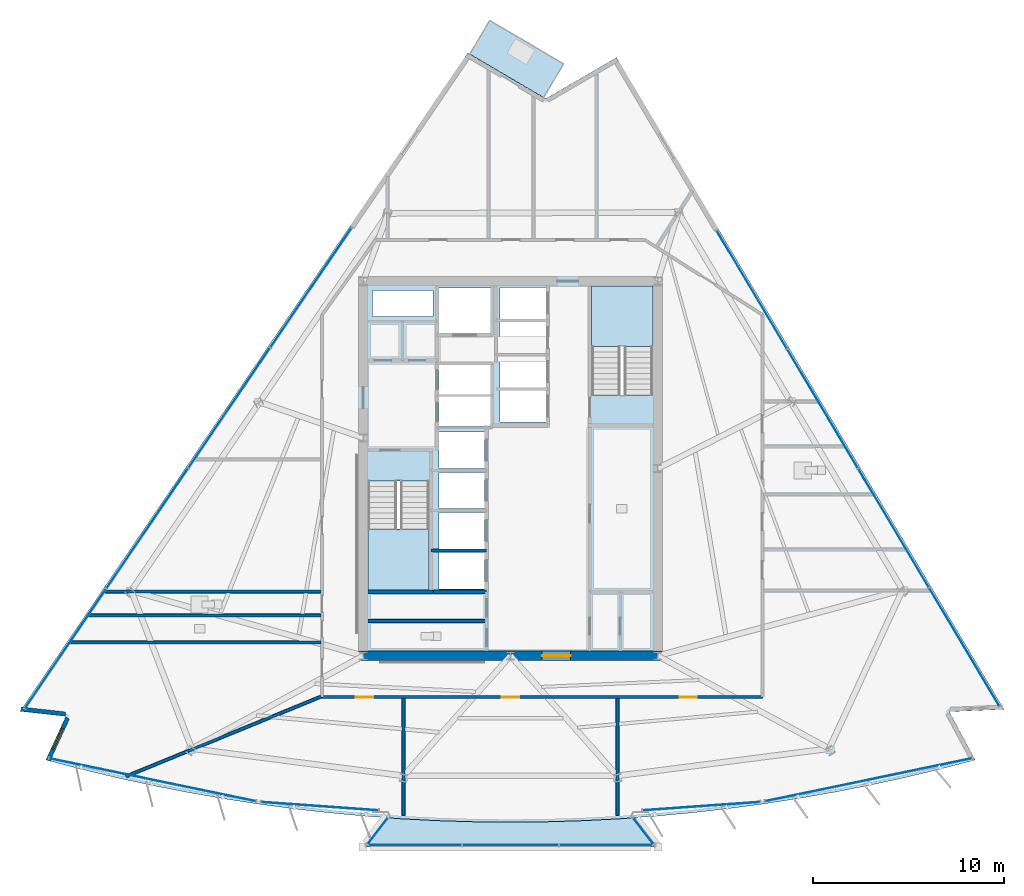
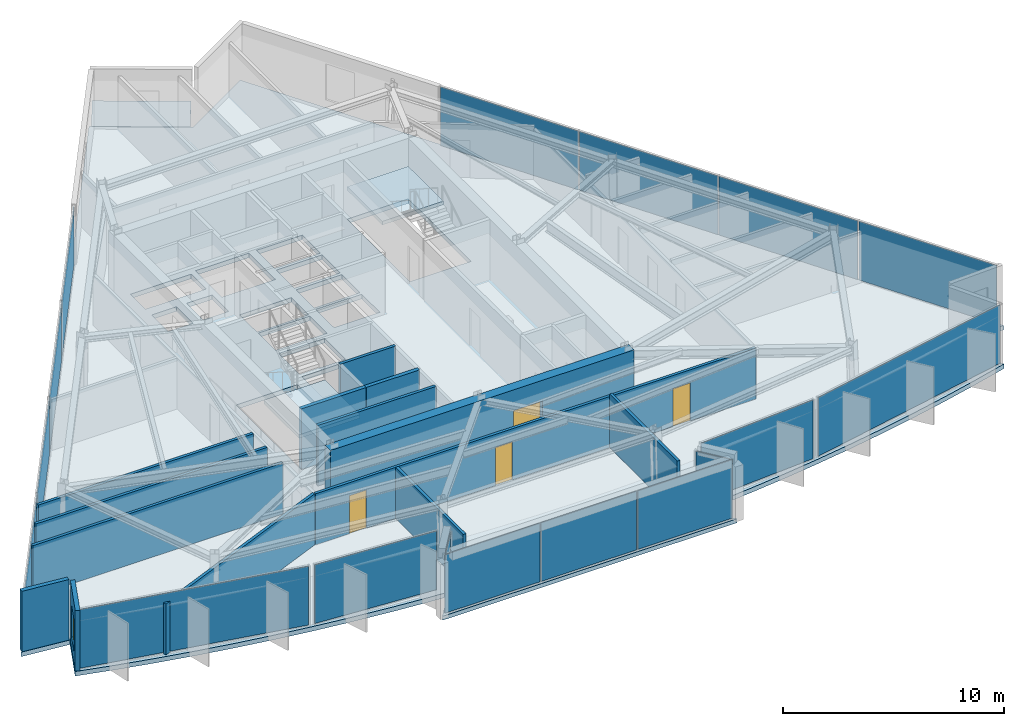
# One storey, part 7 of 14: 17 plates, 14 walls, 5 slabs, 4 doors, 1 window, 5 openings, 11 elements without a shape of their own.
"""IFC4 building model written with IfcOpenShell, lengths in metres."""

from ifc_helpers import new_model, si_unit, direction, frame, frame_2d, origin, origin_2d, place, context, subcontext, project, spatial, polyline, rectangle, outline, extrude, material, layer, layer_set, type_object, element, fill, aggregate, save


model = new_model("IFC4")

# Units and contexts
model_context = context("Model", 3, precision=1e-05, world=origin(), true_north=direction((0.0, 1.0)))
body_context = subcontext(model_context, "Body", "Model", "MODEL_VIEW")
ifc_project = project(units=[si_unit("LENGTHUNIT", "METRE"), si_unit("AREAUNIT", "SQUARE_METRE"), si_unit("VOLUMEUNIT", "CUBIC_METRE"), si_unit("PLANEANGLEUNIT", "RADIAN"), si_unit("MASSUNIT", "GRAM", prefix="KILO")], contexts=[model_context])

# Site, building, storey
site_placement = place(None, origin())
site = spatial("IfcSite", under=ifc_project, at=site_placement, CompositionType="ELEMENT")
building_placement = place(site_placement, origin())
building = spatial("IfcBuilding", under=site, at=building_placement, Name="Savorim Split Tower", CompositionType="ELEMENT")
storey_placement = place(building_placement, frame((0.0, 0.0, 209.10009765625)))
storey = spatial("IfcBuildingStorey", under=building, at=storey_placement, Name="L55", CompositionType="ELEMENT", Elevation=209.10009765625)

# Curtain wall, plate
ifc_material_1 = material(Name="Dark Ceramic-Fritted Insulated Glass", Category="glass")
curtain_wall_type_1 = type_object("IfcCurtainWallType", Name="CW-TWR-FRIT-B", PredefinedType="NOTDEFINED", material=ifc_material_1)
curtain_wall_1_placement = place(storey_placement, origin())
curtain_wall_1 = element("IfcCurtainWall", 1, at=curtain_wall_1_placement, inside=storey, type_object=curtain_wall_type_1, Name="L55 Curtain Wall CW-L55-SF1A", PredefinedType="NOTDEFINED")
ifc_layer_1 = layer(ifc_material_1, 0.02587890625)
ifc_layer_set_1 = layer_set([ifc_layer_1], Name="CWP-FRITB-26")
plate_type_1 = type_object("IfcPlateType", Name="CWP-FRITB-26", PredefinedType="CURTAIN_PANEL", material=ifc_layer_set_1)
plate_1_placement = place(storey_placement, frame((-18.731201171875, -15.885009765625, 0.0498046875), z_axis=(0.0, 0.0, 1.0), x_axis=(0.979135083641, -0.203210452448, 0.0)))
plate_1 = element("IfcPlate", 2, at=plate_1_placement, type_object=plate_type_1, Name="CW-03 panel 1.1", PredefinedType="CURTAIN_PANEL", context=body_context, shape_type="SweptSolid", body=[
    extrude(rectangle(XDim=11.026611328125, YDim=0.02587890625, at=origin_2d()), origin(), (0.0, 0.0, 1.0), 3.25),
])
aggregate(curtain_wall_1, [plate_1])

curtain_wall_2_placement = place(storey_placement, origin())
curtain_wall_2 = element("IfcCurtainWall", 3, at=curtain_wall_2_placement, inside=storey, type_object=curtain_wall_type_1, Name="L55 Curtain Wall CW-L55-SF2A", PredefinedType="NOTDEFINED")
plate_2_placement = place(storey_placement, frame((-9.98095703125, -17.26611328125, 0.0498046875), z_axis=(0.0, 0.0, 1.0), x_axis=(0.99743684751, -0.071552325109, 0.0)))
plate_2 = element("IfcPlate", 4, at=plate_2_placement, type_object=plate_type_1, Name="CW-03 panel 1.1", PredefinedType="CURTAIN_PANEL", context=body_context, shape_type="SweptSolid", body=[
    extrude(rectangle(XDim=6.118896484375, YDim=0.02587890625, at=origin_2d()), origin(), (0.0, 0.0, 1.0), 3.25),
])
aggregate(curtain_wall_2, [plate_2])

curtain_wall_3_placement = place(storey_placement, origin())
curtain_wall_3 = element("IfcCurtainWall", 5, at=curtain_wall_3_placement, inside=storey, type_object=curtain_wall_type_1, Name="L55 Curtain Wall CW-L55-SF3A", PredefinedType="NOTDEFINED")
plate_3_placement = place(storey_placement, frame((9.98095703125, -17.26611328125, 0.0498046875), z_axis=(0.0, 0.0, 1.0), x_axis=(0.99743684751, 0.071552325109, 0.0)))
plate_3 = element("IfcPlate", 6, at=plate_3_placement, type_object=plate_type_1, Name="CW-03 panel 1.1", PredefinedType="CURTAIN_PANEL", context=body_context, shape_type="SweptSolid", body=[
    extrude(rectangle(XDim=6.118896484375, YDim=0.02587890625, at=origin_2d()), origin(), (0.0, 0.0, 1.0), 3.25),
])
aggregate(curtain_wall_3, [plate_3])

curtain_wall_4_placement = place(storey_placement, origin())
curtain_wall_4 = element("IfcCurtainWall", 7, at=curtain_wall_4_placement, inside=storey, type_object=curtain_wall_type_1, Name="L55 Curtain Wall CW-L55-SF4A", PredefinedType="NOTDEFINED")
plate_4_placement = place(storey_placement, frame((18.731201171875, -15.885009765625, 0.0498046875), z_axis=(0.0, 0.0, 1.0), x_axis=(0.979135083641, 0.203210452448, 0.0)))
plate_4 = element("IfcPlate", 8, at=plate_4_placement, type_object=plate_type_1, Name="CW-03 panel 1.1", PredefinedType="CURTAIN_PANEL", context=body_context, shape_type="SweptSolid", body=[
    extrude(rectangle(XDim=11.026611328125, YDim=0.02587890625, at=origin_2d()), origin(), (0.0, 0.0, 1.0), 3.25),
])
aggregate(curtain_wall_4, [plate_4])

# Curtain wall, plates
curtain_wall_5_placement = place(storey_placement, origin())
curtain_wall_5 = element("IfcCurtainWall", 9, at=curtain_wall_5_placement, inside=storey, type_object=curtain_wall_type_1, Name="L55 Curtain Wall CW-L55-EAST", PredefinedType="NOTDEFINED")
plate_5_placement = place(storey_placement, frame((23.739013671875, -8.941162109375, 0.0498046875), z_axis=(0.0, 0.0, 1.0), x_axis=(-0.511092175308, 0.859525909056, 0.0)))
plate_5 = element("IfcPlate", 10, at=plate_5_placement, type_object=plate_type_1, Name="CW-03 panel 1.1", PredefinedType="CURTAIN_PANEL", context=body_context, shape_type="SweptSolid", body=[
    extrude(rectangle(XDim=7.167724609375, YDim=0.02587890625, at=origin_2d()), origin(), (0.0, 0.0, 1.0), 3.25),
])
plate_6_placement = place(storey_placement, frame((20.037353515625, -2.7158203125, 0.0498046875), z_axis=(0.0, 0.0, 1.0), x_axis=(-0.511092175308, 0.859525909056, 0.0)))
plate_6 = element("IfcPlate", 11, at=plate_6_placement, type_object=plate_type_1, Name="CW-03 panel 2.1", PredefinedType="CURTAIN_PANEL", context=body_context, shape_type="SweptSolid", body=[
    extrude(rectangle(XDim=7.19775390625, YDim=0.02587890625, at=origin_2d()), origin(), (0.0, 0.0, 1.0), 3.25),
])
plate_7_placement = place(storey_placement, frame((16.328125, 3.522216796875, 0.0498046875), z_axis=(0.0, 0.0, 1.0), x_axis=(-0.511092175308, 0.859525909056, 0.0)))
plate_7 = element("IfcPlate", 12, at=plate_7_placement, type_object=plate_type_1, Name="CW-03 panel 3.1", PredefinedType="CURTAIN_PANEL", context=body_context, shape_type="SweptSolid", body=[
    extrude(rectangle(XDim=7.19775390625, YDim=0.02587890625, at=origin_2d()), origin(), (0.0, 0.0, 1.0), 3.25),
])
plate_8_placement = place(storey_placement, frame((12.626220703125, 9.74755859375, 0.0498046875), z_axis=(0.0, 0.0, 1.0), x_axis=(-0.511092175308, 0.859525909056, 0.0)))
plate_8 = element("IfcPlate", 13, at=plate_8_placement, type_object=plate_type_1, Name="CW-03 panel 4.1", PredefinedType="CURTAIN_PANEL", context=body_context, shape_type="SweptSolid", body=[
    extrude(rectangle(XDim=7.167724609375, YDim=0.02587890625, at=origin_2d()), origin(), (0.0, 0.0, 1.0), 3.25),
])
aggregate(curtain_wall_5, [plate_5, plate_6, plate_7, plate_8])

curtain_wall_6_placement = place(storey_placement, origin())
curtain_wall_6 = element("IfcCurtainWall", 14, at=curtain_wall_6_placement, inside=storey, type_object=curtain_wall_type_1, Name="L55 Curtain Wall CW-L55-WEST", PredefinedType="NOTDEFINED")
plate_9_placement = place(storey_placement, frame((-10.436279296875, 9.86181640625, 0.0498046875), z_axis=(0.0, 0.0, 1.0), x_axis=(-0.562465276773, -0.826820907104, 0.0)))
plate_9 = element("IfcPlate", 15, at=plate_9_placement, type_object=plate_type_1, Name="CW-03 panel 1.1", PredefinedType="CURTAIN_PANEL", context=body_context, shape_type="SweptSolid", body=[
    extrude(rectangle(XDim=7.533447265625, YDim=0.02587890625, at=origin_2d()), origin(), (0.0, 0.0, 1.0), 3.25),
])
plate_10_placement = place(storey_placement, frame((-14.7158203125, 3.571044921875, 0.0498046875), z_axis=(0.0, 0.0, 1.0), x_axis=(-0.562465276773, -0.826820907104, 0.0)))
plate_10 = element("IfcPlate", 16, at=plate_10_placement, type_object=plate_type_1, Name="CW-03 panel 2.1", PredefinedType="CURTAIN_PANEL", context=body_context, shape_type="SweptSolid", body=[
    extrude(rectangle(XDim=7.5634765625, YDim=0.02587890625, at=origin_2d()), origin(), (0.0, 0.0, 1.0), 3.25),
])
plate_11_placement = place(storey_placement, frame((-19.003662109375, -2.732421875, 0.0498046875), z_axis=(0.0, 0.0, 1.0), x_axis=(-0.562465276773, -0.826820907104, 0.0)))
plate_11 = element("IfcPlate", 17, at=plate_11_placement, type_object=plate_type_1, Name="CW-03 panel 3.1", PredefinedType="CURTAIN_PANEL", context=body_context, shape_type="SweptSolid", body=[
    extrude(rectangle(XDim=7.5634765625, YDim=0.02587890625, at=origin_2d()), origin(), (0.0, 0.0, 1.0), 3.25),
])
plate_12_placement = place(storey_placement, frame((-23.283203125, -9.023193359375, 0.0498046875), z_axis=(0.0, 0.0, 1.0), x_axis=(-0.562465276773, -0.826820907104, 0.0)))
plate_12 = element("IfcPlate", 18, at=plate_12_placement, type_object=plate_type_1, Name="CW-03 panel 4.1", PredefinedType="CURTAIN_PANEL", context=body_context, shape_type="SweptSolid", body=[
    extrude(rectangle(XDim=7.533447265625, YDim=0.02587890625, at=origin_2d()), origin(), (0.0, 0.0, 1.0), 3.25),
])
aggregate(curtain_wall_6, [plate_9, plate_10, plate_11, plate_12])

curtain_wall_type_2 = type_object("IfcCurtainWallType", Name="CW-BAY-LOUNGE", PredefinedType="NOTDEFINED", material=ifc_material_1)
curtain_wall_7_placement = place(storey_placement, origin())
curtain_wall_7 = element("IfcCurtainWall", 19, at=curtain_wall_7_placement, inside=storey, type_object=curtain_wall_type_2, Name="L55 Curtain Wall CW-L55-BAYF", PredefinedType="NOTDEFINED")
ifc_material_2 = material(Name="Low-E Operable Double Glazing", Category="glass")
ifc_layer_2 = layer(ifc_material_2, 0.031982421875)
ifc_layer_set_2 = layer_set([ifc_layer_2], Name="CWP-POD-32")
plate_type_2 = type_object("IfcPlateType", Name="CWP-POD-32", PredefinedType="CURTAIN_PANEL", material=ifc_layer_set_2)
plate_13_placement = place(storey_placement, frame((-5.047119140625, -19.296142578125, 0.0546875), z_axis=(0.0, 0.0, 1.0), x_axis=(1.0, 0.0, 0.0)))
plate_13 = element("IfcPlate", 20, at=plate_13_placement, type_object=plate_type_2, Name="CW-04 panel 1.1", PredefinedType="CURTAIN_PANEL", context=body_context, shape_type="SweptSolid", body=[
    extrude(rectangle(XDim=4.9658203125, YDim=0.031982421875, at=origin_2d()), origin(), (0.0, 0.0, 1.0), 3.239990234375),
])
plate_14_placement = place(storey_placement, frame((0.0, -19.296142578125, 0.0546875), z_axis=(0.0, 0.0, 1.0), x_axis=(1.0, 0.0, 0.0)))
plate_14 = element("IfcPlate", 21, at=plate_14_placement, type_object=plate_type_2, Name="CW-04 panel 2.1", PredefinedType="CURTAIN_PANEL", context=body_context, shape_type="SweptSolid", body=[
    extrude(rectangle(XDim=4.998291015625, YDim=0.031982421875, at=origin_2d()), origin(), (0.0, 0.0, 1.0), 3.239990234375),
])
plate_15_placement = place(storey_placement, frame((5.047119140625, -19.296142578125, 0.0546875), z_axis=(0.0, 0.0, 1.0), x_axis=(1.0, 0.0, 0.0)))
plate_15 = element("IfcPlate", 22, at=plate_15_placement, type_object=plate_type_2, Name="CW-04 panel 3.1", PredefinedType="CURTAIN_PANEL", context=body_context, shape_type="SweptSolid", body=[
    extrude(rectangle(XDim=4.9658203125, YDim=0.031982421875, at=origin_2d()), origin(), (0.0, 0.0, 1.0), 3.239990234375),
])
aggregate(curtain_wall_7, [plate_13, plate_14, plate_15])

# Curtain wall, plate
curtain_wall_8_placement = place(storey_placement, origin())
curtain_wall_8 = element("IfcCurtainWall", 23, at=curtain_wall_8_placement, inside=storey, type_object=curtain_wall_type_2, Name="L55 Curtain Wall CW-L55-BAYW", PredefinedType="NOTDEFINED")
plate_16_placement = place(storey_placement, frame((-6.949951171875, -18.568603515625, 0.0546875), z_axis=(0.0, 0.0, 1.0), x_axis=(-0.610982078738, -0.791644427418, 0.0)))
plate_16 = element("IfcPlate", 24, at=plate_16_placement, type_object=plate_type_2, Name="CW-04 panel 1.1", PredefinedType="CURTAIN_PANEL", context=body_context, shape_type="SweptSolid", body=[
    extrude(rectangle(XDim=1.704833984375, YDim=0.031982421875, at=origin_2d()), origin(), (0.0, 0.0, 1.0), 3.239990234375),
])
aggregate(curtain_wall_8, [plate_16])

curtain_wall_9_placement = place(storey_placement, origin())
curtain_wall_9 = element("IfcCurtainWall", 25, at=curtain_wall_9_placement, inside=storey, type_object=curtain_wall_type_2, Name="L55 Curtain Wall CW-L55-BAYE", PredefinedType="NOTDEFINED")
plate_17_placement = place(storey_placement, frame((6.949951171875, -18.568603515625, 0.0546875), z_axis=(0.0, 0.0, 1.0), x_axis=(-0.610982078738, 0.791644427418, 0.0)))
plate_17 = element("IfcPlate", 26, at=plate_17_placement, type_object=plate_type_2, Name="CW-04 panel 1.1", PredefinedType="CURTAIN_PANEL", context=body_context, shape_type="SweptSolid", body=[
    extrude(rectangle(XDim=1.704833984375, YDim=0.031982421875, at=origin_2d()), origin(), (0.0, 0.0, 1.0), 3.239990234375),
])
aggregate(curtain_wall_9, [plate_17])

# Slabs
ifc_material_3 = material(Name="Concrete C50/60", Category="concrete")
ifc_layer_3 = layer(ifc_material_3, 0.219970703125)
ifc_layer_set_3 = layer_set([ifc_layer_3], Name="SLB-BAL-220")
slab_type_1 = type_object("IfcSlabType", Name="SLB-BAL-220", PredefinedType="FLOOR", material=ifc_layer_set_3)
slab_1_placement = place(storey_placement, frame((0.0, 0.0, -0.22021484375)))
element("IfcSlab", 27, at=slab_1_placement, inside=storey, type_object=slab_type_1, Name="L55 Cantilevered Shared Kitchen Lounge Slab", PredefinedType="FLOOR", context=body_context, shape_type="SweptSolid", body=[
    extrude(outline(polyline([(6.5341796875, -17.866455078125), (5.673095703125, -17.92822265625), (3.783447265625, -18.02490234375), (1.89208984375, -18.0830078125), (0.0, -18.102294921875), (-1.89208984375, -18.0830078125), (-3.783447265625, -18.02490234375), (-5.673095703125, -17.92822265625), (-6.5341796875, -17.866455078125), (-7.715087890625, -19.396240234375), (7.715087890625, -19.396240234375), (6.5341796875, -17.866455078125)])), origin(), (0.0, 0.0, 1.0), 0.22021484375),
])
slab_2_placement = place(storey_placement, frame((0.0, 0.0, -0.22021484375)))
element("IfcSlab", 28, at=slab_2_placement, inside=storey, type_object=slab_type_1, Name="L55 Notched Corner Planted Tree Balcony Slab", PredefinedType="FLOOR", context=body_context, shape_type="SweptSolid", body=[
    extrude(outline(polyline([(-2.126953125, 22.077392578125), (1.739501953125, 19.80517578125), (2.775634765625, 21.568115234375), (-1.0908203125, 23.840576171875), (-2.126953125, 22.077392578125)])), origin(), (0.0, 0.0, 1.0), 0.22021484375),
])

# Stair, slab
stair_type = type_object("IfcStairType", Name="STR-DOG-3600", PredefinedType="HALF_TURN_STAIR", material=ifc_material_3)
stair_1_placement = place(storey_placement, origin())
stair_1 = element("IfcStair", 29, at=stair_1_placement, inside=storey, type_object=stair_type, Name="L55 Core Protected Exit Stair ST-1", PredefinedType="HALF_TURN_STAIR")
ifc_layer_4 = layer(ifc_material_3, 0.199951171875)
ifc_layer_set_4 = layer_set([ifc_layer_4], Name="SLB-LND-200")
slab_type_2 = type_object("IfcSlabType", Name="SLB-LND-200", PredefinedType="LANDING", material=ifc_layer_set_4)
slab_3_placement = place(storey_placement, frame((0.0, 0.0, 1.599853515625)))
slab_3 = element("IfcSlab", 30, at=slab_3_placement, type_object=slab_type_2, Name="ST-1 landing 1", PredefinedType="LANDING", context=body_context, shape_type="SweptSolid", body=[
    extrude(outline(polyline([(-7.449951171875, -2.77001953125), (-7.449951171875, -5.949951171875), (-4.25, -5.949951171875), (-4.25, -2.77001953125), (-7.449951171875, -2.77001953125)])), origin(), (0.0, 0.0, 1.0), 0.199951171875),
])
aggregate(stair_1, [slab_3])

stair_2_placement = place(storey_placement, origin())
stair_2 = element("IfcStair", 31, at=stair_2_placement, inside=storey, type_object=stair_type, Name="L55 Core Protected Exit Stair ST-2", PredefinedType="HALF_TURN_STAIR")
slab_4_placement = place(storey_placement, frame((0.0, 0.0, 1.599853515625)))
slab_4 = element("IfcSlab", 32, at=slab_4_placement, type_object=slab_type_2, Name="ST-2 landing 1", PredefinedType="LANDING", context=body_context, shape_type="SweptSolid", body=[
    extrude(outline(polyline([(7.449951171875, 6.77001953125), (7.449951171875, 9.949951171875), (4.25, 9.949951171875), (4.25, 6.77001953125), (7.449951171875, 6.77001953125)])), origin(), (0.0, 0.0, 1.0), 0.199951171875),
])
aggregate(stair_2, [slab_4])

# Slab
ifc_layer_5 = layer(ifc_material_3, 0.25)
ifc_layer_set_5 = layer_set([ifc_layer_5], Name="SLB-TWR-250")
slab_type_3 = type_object("IfcSlabType", Name="SLB-TWR-250", PredefinedType="FLOOR", material=ifc_layer_set_5)
slab_5_placement = place(storey_placement, frame((0.0, 0.0, -0.25)))
element("IfcSlab", 33, at=slab_5_placement, inside=storey, type_object=slab_type_3, Name="L55 Structural Floor Slab", PredefinedType="FLOOR", context=body_context, shape_type="SweptSolid", body=[
    extrude(outline(polyline([(-24.310302734375, -14.849609375), (-22.479736328125, -15.328369140625), (-20.6396484375, -15.76953125), (-18.791015625, -16.173095703125), (-16.934326171875, -16.53857421875), (-15.070556640625, -16.865966796875), (-13.20068359375, -17.1552734375), (-11.3251953125, -17.40625), (-9.44482421875, -17.618896484375), (-7.560546875, -17.792724609375), (-5.673095703125, -17.92822265625), (-3.783447265625, -18.02490234375), (-1.89208984375, -18.0830078125), (0.0, -18.102294921875), (1.89208984375, -18.0830078125), (3.783447265625, -18.02490234375), (5.673095703125, -17.92822265625), (7.560546875, -17.792724609375), (9.44482421875, -17.618896484375), (11.3251953125, -17.40625), (13.20068359375, -17.1552734375), (15.070556640625, -16.865966796875), (16.934326171875, -16.53857421875), (18.791015625, -16.173095703125), (20.6396484375, -15.76953125), (22.479736328125, -15.328369140625), (24.310302734375, -14.849609375), (22.95458984375, -12.32275390625), (25.81689453125, -12.200927734375), (5.54150390625, 21.897216796875), (1.84033203125, 19.739990234375), (-2.23291015625, 22.134033203125), (-25.65869140625, -12.3017578125), (-23.2626953125, -12.569091796875), (-24.310302734375, -14.849609375)]), holes=[polyline([(-7.449951171875, -0.25390625), (-7.449951171875, -5.949951171875), (-4.25, -5.949951171875), (-4.25, -0.25390625), (-7.449951171875, -0.25390625)]), polyline([(7.449951171875, 4.25390625), (7.449951171875, 9.949951171875), (4.25, 9.949951171875), (4.25, 4.25390625), (7.449951171875, 4.25390625)]), polyline([(-3.75, -5.89990234375), (-1.35009765625, -5.89990234375), (-1.35009765625, -4.0), (-3.75, -4.0), (-3.75, -5.89990234375)]), polyline([(-3.75, -3.800048828125), (-1.35009765625, -3.800048828125), (-1.35009765625, -1.89990234375), (-3.75, -1.89990234375), (-3.75, -3.800048828125)]), polyline([(-3.75, -1.699951171875), (-1.35009765625, -1.699951171875), (-1.35009765625, 0.199951171875), (-3.75, 0.199951171875), (-3.75, -1.699951171875)]), polyline([(-3.75, 0.39990234375), (-1.35009765625, 0.39990234375), (-1.35009765625, 2.300048828125), (-3.75, 2.300048828125), (-3.75, 0.39990234375)]), polyline([(-0.550048828125, 2.830078125), (1.85009765625, 2.830078125), (1.85009765625, 4.469970703125), (-0.550048828125, 4.469970703125), (-0.550048828125, 2.830078125)]), polyline([(-0.550048828125, 4.6298828125), (1.85009765625, 4.6298828125), (1.85009765625, 6.27001953125), (-0.550048828125, 6.27001953125), (-0.550048828125, 4.6298828125)]), polyline([(-0.550048828125, 6.429931640625), (1.85009765625, 6.429931640625), (1.85009765625, 8.070068359375), (-0.550048828125, 8.070068359375), (-0.550048828125, 6.429931640625)]), polyline([(-0.550048828125, 8.22998046875), (1.85009765625, 8.22998046875), (1.85009765625, 9.8701171875), (-0.550048828125, 9.8701171875), (-0.550048828125, 8.22998046875)]), polyline([(-3.75, 2.60009765625), (-1.050048828125, 2.60009765625), (-1.050048828125, 4.159912109375), (-3.75, 4.159912109375), (-3.75, 2.60009765625)]), polyline([(-3.75, 4.280029296875), (-1.050048828125, 4.280029296875), (-1.050048828125, 5.840087890625), (-3.75, 5.840087890625), (-3.75, 4.280029296875)]), polyline([(-3.75, 7.449951171875), (-0.949951171875, 7.449951171875), (-0.949951171875, 9.85009765625), (-3.75, 9.85009765625), (-3.75, 7.449951171875)]), polyline([(-7.219970703125, 6.320068359375), (-5.919921875, 6.320068359375), (-5.919921875, 7.820068359375), (-7.219970703125, 7.820068359375), (-7.219970703125, 6.320068359375)]), polyline([(-5.3798828125, 6.320068359375), (-4.050048828125, 6.320068359375), (-4.050048828125, 7.820068359375), (-5.3798828125, 7.820068359375), (-5.3798828125, 6.320068359375)]), polyline([(-7.219970703125, 8.360107421875), (-4.050048828125, 8.360107421875), (-4.050048828125, 9.719970703125), (-7.219970703125, 9.719970703125), (-7.219970703125, 8.360107421875)])]), origin(), (0.0, 0.0, 1.0), 0.25),
])

# Wall, opening, door
ifc_material_4 = material(Name="Concrete C60/75", Category="concrete")
ifc_layer_6 = layer(ifc_material_4, 0.5)
ifc_layer_set_6 = layer_set([ifc_layer_6], Name="WAL-COR-SH500")
wall_type_1 = type_object("IfcWallType", Name="WAL-COR-SH500", PredefinedType="SHEAR", material=ifc_layer_set_6)
wall_1_placement = place(storey_placement, frame((-7.949951171875, -9.39990234375, 0.0), z_axis=(0.0, 0.0, 1.0), x_axis=(1.0, 0.0, 0.0)))
wall_1 = element("IfcWall", 34, at=wall_1_placement, inside=storey, type_object=wall_type_1, Name="L55 Offset Core South Shear Wall", PredefinedType="SHEAR", context=body_context, shape_type="SweptSolid", body=[
    extrude(rectangle(XDim=15.89990234375, YDim=0.5, at=frame_2d((7.949951171875, 0.0))), origin(), (0.0, 0.0, 1.0), 3.349853515625),
])
opening_1_placement = place(wall_1_placement, frame((9.60009765625, 0.0, 0.0)))
opening_1 = element("IfcOpeningElement", 35, at=opening_1_placement, cuts=wall_1, Name="Opening DI-02", PredefinedType="OPENING", context=body_context, shape_type="SweptSolid", body=[
    extrude(rectangle(XDim=1.5, YDim=2.199951171875, at=frame_2d((0.75, 1.10009765625))), frame((0.0, 0.260009765625, 0.0), z_axis=(0.0, -1.0, 0.0), x_axis=(1.0, 0.0, 0.0)), (0.0, 0.0, 1.0), 0.52001953125),
])
ifc_material_5 = material(Name="Timber Fire Door Leaf", Category="wood")
door_type_1 = type_object("IfcDoorType", Name="DOR-DBL-1500", OperationType="NOTDEFINED", PredefinedType="DOOR", material=ifc_material_5)
door_1_placement = place(opening_1_placement, origin())
door_1 = element("IfcDoor", 36, at=door_1_placement, inside=storey, type_object=door_type_1, Name="DOR-L55-COR-LLOB - L55 Lift Lobby Main Rated Door", OperationType="DOUBLE_DOOR_SINGLE_SWING", OverallHeight=2.199951171875, OverallWidth=1.5, PredefinedType="DOOR", context=body_context, shape_type="SweptSolid", body=[
    extrude(rectangle(XDim=1.5, YDim=2.199951171875, at=frame_2d((0.75, 1.10009765625))), frame((0.0, 0.02490234375, 0.0), z_axis=(0.0, -1.0, 0.0), x_axis=(1.0, 0.0, 0.0)), (0.0, 0.0, 1.0), 0.050048828125),
])
fill(opening_1, door_1)

# Wall
ifc_material_6 = material(Name="Precast concrete C40/50", Category="concrete")
ifc_layer_7 = layer(ifc_material_6, 0.219970703125)
ifc_layer_set_7 = layer_set([ifc_layer_7], Name="WAL-EXT-CRN220")
wall_type_2 = type_object("IfcWallType", Name="WAL-EXT-CRN220", PredefinedType="SOLIDWALL", material=ifc_layer_set_7)
wall_2_placement = place(storey_placement, frame((-23.2890625, -12.445556640625, 0.0), z_axis=(0.0, 0.0, 1.0), x_axis=(-0.993829972675, 0.110914315635, 0.0)))
element("IfcWall", 37, at=wall_2_placement, inside=storey, type_object=wall_type_2, Name="L55 Notched Corner Facade Wall SW1", PredefinedType="SOLIDWALL", context=body_context, shape_type="SweptSolid", body=[
    extrude(rectangle(XDim=2.3310546875, YDim=0.219970703125, at=frame_2d((1.16552734375, 0.0))), origin(), (0.0, 0.0, 1.0), 3.349853515625),
])

# Wall, opening, window
wall_3_placement = place(storey_placement, frame((-24.184814453125, -14.86328125, 0.0), z_axis=(0.0, 0.0, 1.0), x_axis=(0.417509141111, 0.90867272276, 0.0)))
wall_3 = element("IfcWall", 38, at=wall_3_placement, inside=storey, type_object=wall_type_2, Name="L55 Notched Corner Facade Wall SW", PredefinedType="SOLIDWALL", context=body_context, shape_type="SweptSolid", body=[
    extrude(rectangle(XDim=2.4296875, YDim=0.219970703125, at=frame_2d((1.21484375, 0.0))), origin(), (0.0, 0.0, 1.0), 3.349853515625),
])
opening_2_placement = place(wall_3_placement, frame((0.61474609375, 0.0, 0.6201171875)))
opening_2 = element("IfcOpeningElement", 39, at=opening_2_placement, cuts=wall_3, Name="Opening WN-08", PredefinedType="OPENING", context=body_context, shape_type="SweptSolid", body=[
    extrude(rectangle(XDim=1.199951171875, YDim=1.800048828125, at=frame_2d((0.60009765625, 0.89990234375))), frame((0.0, 0.119873046875, 0.0), z_axis=(0.0, -1.0, 0.0), x_axis=(1.0, 0.0, 0.0)), (0.0, 0.0, 1.0), 0.239990234375),
])
window_type = type_object("IfcWindowType", Name="WIN-TWR-1200x1800", PartitioningType="SINGLE_PANEL", PredefinedType="WINDOW", material=ifc_material_2)
window_placement = place(opening_2_placement, origin())
window = element("IfcWindow", 40, at=window_placement, inside=storey, type_object=window_type, Name="L55 Operable Corner Window SW", OverallHeight=1.800048828125, OverallWidth=1.199951171875, PartitioningType="SINGLE_PANEL", PredefinedType="WINDOW", context=body_context, shape_type="SweptSolid", body=[
    extrude(rectangle(XDim=1.199951171875, YDim=1.800048828125, at=frame_2d((0.60009765625, 0.89990234375))), frame((0.0, 0.030029296875, 0.0), z_axis=(0.0, -1.0, 0.0), x_axis=(1.0, 0.0, 0.0)), (0.0, 0.0, 1.0), 0.06005859375),
])
fill(opening_2, window)

# Walls
ifc_layer_8 = layer(ifc_material_3, 0.199951171875)
ifc_layer_set_8 = layer_set([ifc_layer_8], Name="WAL-INT-RC200")
wall_type_3 = type_object("IfcWallType", Name="WAL-INT-RC200", PredefinedType="SOLIDWALL", material=ifc_layer_set_8)
wall_4_placement = place(storey_placement, frame((-7.449951171875, -6.050048828125, 0.0), z_axis=(0.0, 0.0, 1.0), x_axis=(1.0, 0.0, 0.0)))
element("IfcWall", 41, at=wall_4_placement, inside=storey, type_object=wall_type_3, Name="L55 Structural Shaft Wall W-L55-KSEP-W", PredefinedType="SOLIDWALL", context=body_context, shape_type="SweptSolid", body=[
    extrude(rectangle(XDim=3.39990234375, YDim=0.199951171875, at=frame_2d((1.699951171875, 0.0))), origin(), (0.0, 0.0, 1.0), 3.349853515625),
])
wall_5_placement = place(storey_placement, frame((-4.0400390625, -6.050048828125, 0.0), z_axis=(0.0, 0.0, 1.0), x_axis=(1.0, 0.0, 0.0)))
element("IfcWall", 42, at=wall_5_placement, inside=storey, type_object=wall_type_3, Name="L55 Partition W-L55-KSEP-W2", PredefinedType="SOLIDWALL", context=body_context, shape_type="SweptSolid", body=[
    extrude(rectangle(XDim=2.7900390625, YDim=0.199951171875, at=frame_2d((1.39501953125, 0.0))), origin(), (0.0, 0.0, 1.0), 3.349853515625),
])
ifc_material_7 = material(Name="Acoustic Gypsum Partition Board")
ifc_layer_9 = layer(ifc_material_7, 0.14990234375)
ifc_layer_set_9 = layer_set([ifc_layer_9], Name="WAL-PAR-150")
wall_type_4 = type_object("IfcWallType", Name="WAL-PAR-150", PredefinedType="PARTITIONING", material=ifc_layer_set_9)
wall_6_placement = place(storey_placement, frame((-4.14990234375, -3.89990234375, 0.0), z_axis=(0.0, 0.0, 1.0), x_axis=(1.0, 0.0, 0.0)))
element("IfcWall", 43, at=wall_6_placement, inside=storey, type_object=wall_type_4, Name="L55 Partition W-L55-B2DIV1", PredefinedType="PARTITIONING", context=body_context, shape_type="SweptSolid", body=[
    extrude(rectangle(XDim=2.89990234375, YDim=0.14990234375, at=frame_2d((1.449951171875, 0.0))), origin(), (0.0, 0.0, 1.0), 3.349853515625),
])
wall_7_placement = place(storey_placement, frame((-7.445068359375, -7.580078125, 0.0), z_axis=(0.0, 0.0, 1.0), x_axis=(1.0, 0.0, 0.0)))
element("IfcWall", 44, at=wall_7_placement, inside=storey, type_object=wall_type_4, Name="L55 Partition W-L55-K2H", PredefinedType="PARTITIONING", context=body_context, shape_type="SweptSolid", body=[
    extrude(rectangle(XDim=6.195068359375, YDim=0.14990234375, at=frame_2d((3.09765625, 0.0))), origin(), (0.0, 0.0, 1.0), 3.349853515625),
])

# Wall, openings, doors
wall_8_placement = place(storey_placement, frame((13.179931640625, -11.56005859375, 0.0), z_axis=(0.0, 0.0, 1.0), x_axis=(-1.0, 0.0, 0.0)))
wall_8 = element("IfcWall", 45, at=wall_8_placement, inside=storey, type_object=wall_type_4, Name="L55 Partition W-L55-COR-06", PredefinedType="PARTITIONING", context=body_context, shape_type="SweptSolid", body=[
    extrude(rectangle(XDim=23.0400390625, YDim=0.14990234375, at=frame_2d((11.52001953125, 0.0))), origin(), (0.0, 0.0, 1.0), 2.824951171875),
])
opening_3_placement = place(wall_8_placement, frame((20.370849609375, 0.0, 0.0)))
opening_3 = element("IfcOpeningElement", 46, at=opening_3_placement, cuts=wall_8, Name="Opening DI-06", PredefinedType="OPENING", context=body_context, shape_type="SweptSolid", body=[
    extrude(rectangle(XDim=0.89990234375, YDim=2.10009765625, at=frame_2d((0.449951171875, 1.050048828125))), frame((0.0, 0.0849609375, 0.0), z_axis=(0.0, -1.0, 0.0), x_axis=(1.0, 0.0, 0.0)), (0.0, 0.0, 1.0), 0.169921875),
])
opening_4_placement = place(wall_8_placement, frame((12.72998046875, 0.0, 0.0)))
opening_4 = element("IfcOpeningElement", 47, at=opening_4_placement, cuts=wall_8, Name="Opening DI-06", PredefinedType="OPENING", context=body_context, shape_type="SweptSolid", body=[
    extrude(rectangle(XDim=0.89990234375, YDim=2.10009765625, at=frame_2d((0.449951171875, 1.050048828125))), frame((0.0, 0.0849609375, 0.0), z_axis=(0.0, -1.0, 0.0), x_axis=(1.0, 0.0, 0.0)), (0.0, 0.0, 1.0), 0.169921875),
])
opening_5_placement = place(wall_8_placement, frame((3.42919921875, 0.0, 0.0)))
opening_5 = element("IfcOpeningElement", 48, at=opening_5_placement, cuts=wall_8, Name="Opening DI-06", PredefinedType="OPENING", context=body_context, shape_type="SweptSolid", body=[
    extrude(rectangle(XDim=0.89990234375, YDim=2.10009765625, at=frame_2d((0.449951171875, 1.050048828125))), frame((0.0, 0.0849609375, 0.0), z_axis=(0.0, -1.0, 0.0), x_axis=(1.0, 0.0, 0.0)), (0.0, 0.0, 1.0), 0.169921875),
])
door_type_2 = type_object("IfcDoorType", Name="DOR-FIR-900", OperationType="NOTDEFINED", PredefinedType="DOOR", material=ifc_material_5)
door_2_placement = place(opening_3_placement, origin())
door_2 = element("IfcDoor", 49, at=door_2_placement, inside=storey, type_object=door_type_2, Name="DR-L55-RM05 - L55 Communal Lounge Entry Door", OperationType="SINGLE_SWING_RIGHT", OverallHeight=2.10009765625, OverallWidth=0.89990234375, PredefinedType="DOOR", context=body_context, shape_type="SweptSolid", body=[
    extrude(rectangle(XDim=0.89990234375, YDim=2.10009765625, at=frame_2d((0.449951171875, 1.050048828125))), frame((0.0, 0.02490234375, 0.0), z_axis=(0.0, -1.0, 0.0), x_axis=(1.0, 0.0, 0.0)), (0.0, 0.0, 1.0), 0.050048828125),
])
fill(opening_3, door_2)
door_3_placement = place(opening_4_placement, origin())
door_3 = element("IfcDoor", 50, at=door_3_placement, inside=storey, type_object=door_type_2, Name="DR-L55-RM06 - L55 Co-Working Commons Entry Door", OperationType="SINGLE_SWING_LEFT", OverallHeight=2.10009765625, OverallWidth=0.89990234375, PredefinedType="DOOR", context=body_context, shape_type="SweptSolid", body=[
    extrude(rectangle(XDim=0.89990234375, YDim=2.10009765625, at=frame_2d((0.449951171875, 1.050048828125))), frame((0.0, 0.02490234375, 0.0), z_axis=(0.0, -1.0, 0.0), x_axis=(1.0, 0.0, 0.0)), (0.0, 0.0, 1.0), 0.050048828125),
])
fill(opening_4, door_3)
door_4_placement = place(opening_5_placement, origin())
door_4 = element("IfcDoor", 51, at=door_4_placement, inside=storey, type_object=door_type_2, Name="DR-L55-RM07 - L55 Co-Working Commons Entry Door", OperationType="SINGLE_SWING_RIGHT", OverallHeight=2.10009765625, OverallWidth=0.89990234375, PredefinedType="DOOR", context=body_context, shape_type="SweptSolid", body=[
    extrude(rectangle(XDim=0.89990234375, YDim=2.10009765625, at=frame_2d((0.449951171875, 1.050048828125))), frame((0.0, 0.02490234375, 0.0), z_axis=(0.0, -1.0, 0.0), x_axis=(1.0, 0.0, 0.0)), (0.0, 0.0, 1.0), 0.050048828125),
])
fill(opening_5, door_4)

# Walls
wall_9_placement = place(storey_placement, frame((-9.9091796875, -11.533447265625, 0.0), z_axis=(0.0, 0.0, 1.0), x_axis=(-0.925437564654, -0.378900137144, 0.0)))
element("IfcWall", 52, at=wall_9_placement, inside=storey, type_object=wall_type_4, Name="L55 Partition W-L55-PRAD01", PredefinedType="PARTITIONING", context=body_context, shape_type="SweptSolid", body=[
    extrude(rectangle(XDim=11.024658203125, YDim=0.14990234375, at=frame_2d((5.51220703125, 0.0))), origin(), (0.0, 0.0, 1.0), 2.824951171875),
])
wall_10_placement = place(storey_placement, frame((-5.599853515625, -11.6201171875, 0.0), z_axis=(0.0, 0.0, 1.0), x_axis=(0.0, -1.0, 0.0)))
element("IfcWall", 53, at=wall_10_placement, inside=storey, type_object=wall_type_4, Name="L55 Partition W-L55-PRAD02", PredefinedType="PARTITIONING", context=body_context, shape_type="SweptSolid", body=[
    extrude(rectangle(XDim=6.1416015625, YDim=0.14990234375, at=frame_2d((3.07080078125, 0.0))), origin(), (0.0, 0.0, 1.0), 2.824951171875),
])
wall_11_placement = place(storey_placement, frame((5.599853515625, -11.6201171875, 0.0), z_axis=(0.0, 0.0, 1.0), x_axis=(0.0, -1.0, 0.0)))
element("IfcWall", 54, at=wall_11_placement, inside=storey, type_object=wall_type_4, Name="L55 Partition W-L55-PRAD03", PredefinedType="PARTITIONING", context=body_context, shape_type="SweptSolid", body=[
    extrude(rectangle(XDim=6.1416015625, YDim=0.14990234375, at=frame_2d((3.07080078125, 0.0))), origin(), (0.0, 0.0, 1.0), 2.96484375),
])
wall_12_placement = place(storey_placement, frame((-9.919921875, -6.04052734375, 0.0), z_axis=(0.0, 0.0, 1.0), x_axis=(-1.0, 0.0, 0.0)))
element("IfcWall", 55, at=wall_12_placement, inside=storey, type_object=wall_type_4, Name="L55 Partition W-L55-PRAD10", PredefinedType="PARTITIONING", context=body_context, shape_type="SweptSolid", body=[
    extrude(rectangle(XDim=11.273681640625, YDim=0.14990234375, at=frame_2d((5.63671875, 0.0))), origin(), (0.0, 0.0, 1.0), 2.824951171875),
])
wall_13_placement = place(storey_placement, frame((-9.919921875, -8.697509765625, 0.0), z_axis=(0.0, 0.0, 1.0), x_axis=(-1.0, 0.0, 0.0)))
element("IfcWall", 56, at=wall_13_placement, inside=storey, type_object=wall_type_4, Name="L55 Partition W-L55-SUB01", PredefinedType="PARTITIONING", context=body_context, shape_type="SweptSolid", body=[
    extrude(rectangle(XDim=13.081298828125, YDim=0.14990234375, at=frame_2d((6.54052734375, 0.0))), origin(), (0.0, 0.0, 1.0), 2.824951171875),
])
wall_14_placement = place(storey_placement, frame((-9.919921875, -7.28125, 0.0), z_axis=(0.0, 0.0, 1.0), x_axis=(-1.0, 0.0, 0.0)))
element("IfcWall", 57, at=wall_14_placement, inside=storey, type_object=wall_type_4, Name="L55 Partition W-L55-SUB04", PredefinedType="PARTITIONING", context=body_context, shape_type="SweptSolid", body=[
    extrude(rectangle(XDim=12.117919921875, YDim=0.14990234375, at=frame_2d((6.05908203125, 0.0))), origin(), (0.0, 0.0, 1.0), 2.824951171875),
])

save(model, "model.ifc")
